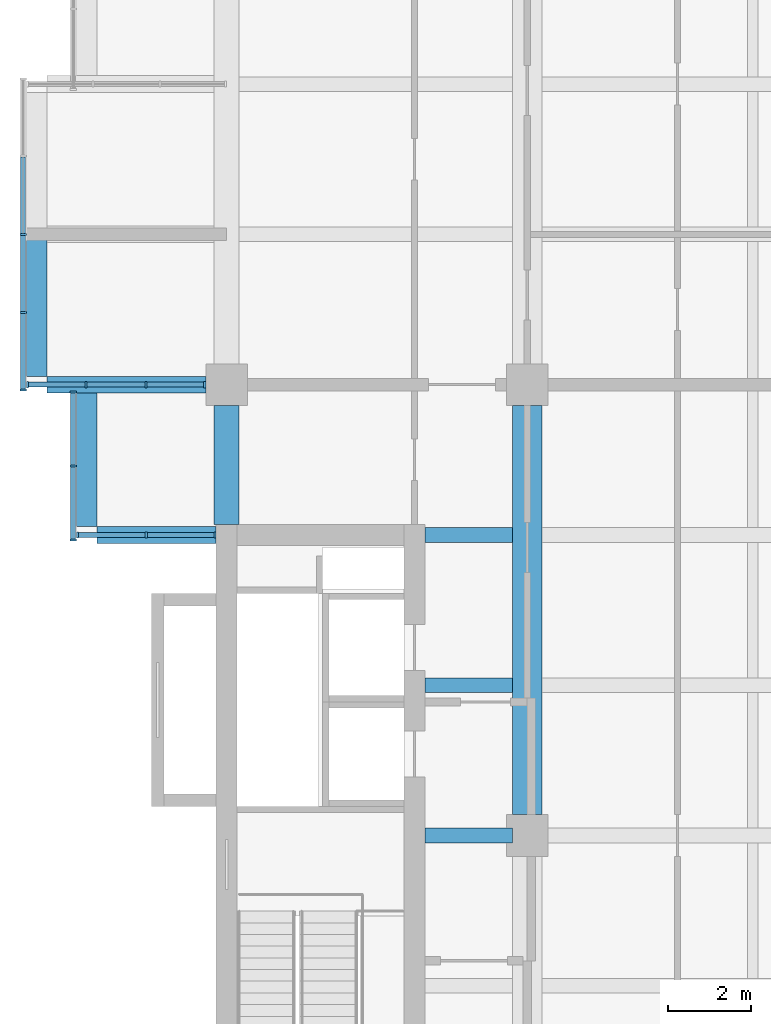
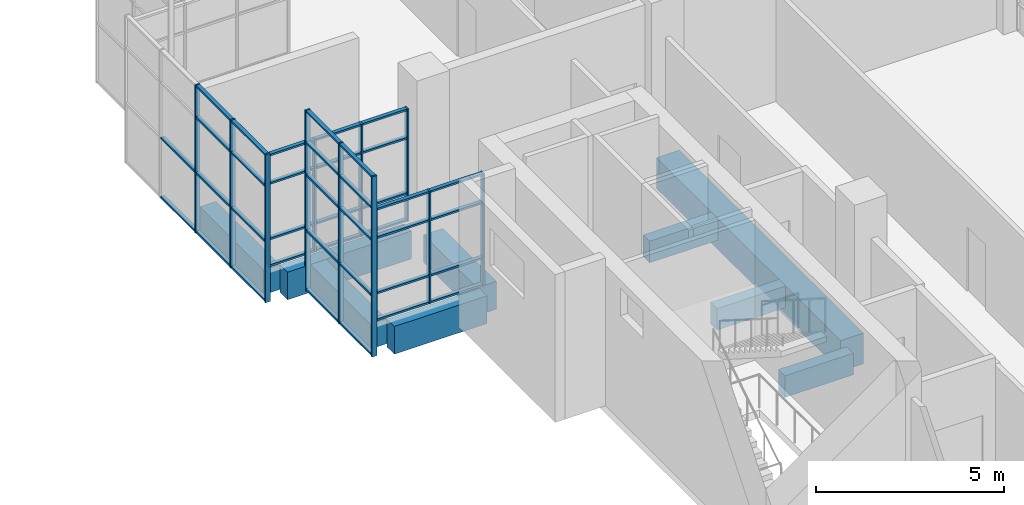
# One storey, part 7 of 30: 53 members, 9 beams, 4 elements without a shape of their own.
"""IFC4 building model written with IfcOpenShell, lengths in metres."""

from ifc_helpers import new_model, si_unit, direction, frame, origin, origin_2d, place, context, subcontext, project, spatial, rectangle, extrude, material, layer, layer_set, material_profile, profile_set, type_object, element, aggregate, save


model = new_model("IFC4")

# Units and contexts
model_context = context("Model", 3, precision=1e-05, world=origin(), true_north=direction((0.0, 1.0)))
body_context = subcontext(model_context, "Body", "Model", "MODEL_VIEW")
ifc_project = project(units=[si_unit("LENGTHUNIT", "METRE"), si_unit("AREAUNIT", "SQUARE_METRE"), si_unit("VOLUMEUNIT", "CUBIC_METRE"), si_unit("PLANEANGLEUNIT", "RADIAN"), si_unit("MASSUNIT", "GRAM", prefix="KILO")], contexts=[model_context])

# Site, building, storey
site_placement = place(None, origin())
site = spatial("IfcSite", under=ifc_project, at=site_placement, CompositionType="ELEMENT")
building_placement = place(site_placement, origin())
building = spatial("IfcBuilding", under=site, at=building_placement, Name="Basin Gate Institute", CompositionType="ELEMENT")
storey_placement = place(building_placement, frame((0.0, 0.0, 36.60009765625)))
storey = spatial("IfcBuildingStorey", under=building, at=storey_placement, Name="L07", CompositionType="ELEMENT", Elevation=36.60009765625)

# Beams
ifc_material_1 = material(Name="Concrete 40 MPa", Category="concrete")
ifc_material_profile_1 = material_profile(ifc_material_1, rectangle(XDim=0.35009765625, YDim=0.699951171875, at=origin_2d()), Name="Beam B1 350 x 700")
ifc_profile_set_1 = profile_set([ifc_material_profile_1], Name="Concrete 40 MPa")
beam_type_1 = type_object("IfcBeamType", Name="Beam B1 R120", PredefinedType="BEAM", material=ifc_profile_set_1)
for number, where, z_axis, x_axis, name in (
    (1, (65.949951171875, 67.5, -0.60009765625), (1.0, 0.0, 0.0), (0.0, 1.0, 0.0), "BEAM/L07/W/CORR/10"),
    (2, (65.949951171875, 71.10009765625, -0.60009765625), (1.0, 0.0, 0.0), (0.0, 1.0, 0.0), "BEAM/L07/W/CORR/11"),
    (3, (65.949951171875, 74.699951171875, -0.60009765625), (1.0, 0.0, 0.0), (0.0, 1.0, 0.0), "BEAM/L07/W/CORR/12"),
):
    element("IfcBeam", number, at=place(storey_placement, frame(where, z_axis=z_axis, x_axis=x_axis)), inside=storey, type_object=beam_type_1, material=ifc_profile_set_1, Name=name, PredefinedType="BEAM", context=body_context, shape_type="SweptSolid", body=[
        extrude(rectangle(XDim=0.35009765625, YDim=0.699951171875, at=origin_2d()), origin(), (0.0, 0.0, 1.0), 2.10009765625),
    ])
ifc_material_2 = material(Name="Concrete 50 MPa", Category="concrete")
ifc_material_profile_2 = material_profile(ifc_material_2, rectangle(XDim=0.39990234375, YDim=0.89990234375, at=origin_2d()), Name="Cantilever beam B3 400 x 900")
ifc_profile_set_2 = profile_set([ifc_material_profile_2], Name="Concrete 50 MPa")
beam_type_2 = type_object("IfcBeamType", Name="Cantilever beam B3 R120", PredefinedType="BEAM", material=ifc_profile_set_2)
beam_1_placement = place(storey_placement, frame((58.10009765625, 74.699951171875, -0.7001953125), z_axis=(1.0, 0.0, 0.0), x_axis=(0.0, 1.0, 0.0)))
element("IfcBeam", 4, at=beam_1_placement, inside=storey, type_object=beam_type_2, material=ifc_profile_set_2, Name="BEAM/L07/W/CANT/12", PredefinedType="BEAM", context=body_context, shape_type="SweptSolid", body=[
    extrude(rectangle(XDim=0.39990234375, YDim=0.89990234375, at=origin_2d()), origin(), (0.0, 0.0, 1.0), 2.849853515625),
])
beam_2_placement = place(storey_placement, frame((56.89990234375, 78.300048828125, -0.7001953125), z_axis=(1.0, 0.0, 0.0), x_axis=(0.0, 1.0, 0.0)))
element("IfcBeam", 5, at=beam_2_placement, inside=storey, type_object=beam_type_2, material=ifc_profile_set_2, Name="BEAM/L07/W/CANT/13", PredefinedType="BEAM", context=body_context, shape_type="SweptSolid", body=[
    extrude(rectangle(XDim=0.39990234375, YDim=0.89990234375, at=origin_2d()), origin(), (0.0, 0.0, 1.0), 3.800048828125),
])
ifc_material_3 = material(Name="Concrete 50 MPa", Category="concrete")
ifc_material_profile_3 = material_profile(ifc_material_3, rectangle(XDim=0.60009765625, YDim=0.89990234375, at=origin_2d()), Name="Edge return beam EB3 600 x 900")
ifc_profile_set_3 = profile_set([ifc_material_profile_3], Name="Concrete 50 MPa")
beam_type_3 = type_object("IfcBeamType", Name="Edge return beam EB3 R120", PredefinedType="SPANDREL", material=ifc_profile_set_3)
beam_3_placement = place(storey_placement, frame((61.199951171875, 74.949951171875, -0.7001953125), z_axis=(0.0, 1.0, 0.0), x_axis=(-1.0, 0.0, 0.0)))
element("IfcBeam", 6, at=beam_3_placement, inside=storey, type_object=beam_type_3, material=ifc_profile_set_3, Name="BEAM/L07/W/EDGE/3", PredefinedType="SPANDREL", context=body_context, shape_type="SweptSolid", body=[
    extrude(rectangle(XDim=0.60009765625, YDim=0.89990234375, at=origin_2d()), origin(), (0.0, 0.0, 1.0), 2.85009765625),
])
ifc_material_4 = material(Name="Concrete 50 MPa", Category="concrete")
ifc_material_profile_4 = material_profile(ifc_material_4, rectangle(XDim=0.699951171875, YDim=1.0, at=origin_2d()), Name="Girder G1 700 x 1000")
ifc_profile_set_4 = profile_set([ifc_material_profile_4], Name="Concrete 50 MPa")
beam_type_4 = type_object("IfcBeamType", Name="Girder G1 R120", PredefinedType="BEAM", material=ifc_profile_set_4)
beam_4_placement = place(storey_placement, frame((68.39990234375, 68.0, -0.75), z_axis=(0.0, 1.0, 0.0), x_axis=(-1.0, 0.0, 0.0)))
element("IfcBeam", 7, at=beam_4_placement, inside=storey, type_object=beam_type_4, material=ifc_profile_set_4, Name="GIR/L07/W5/4", PredefinedType="BEAM", context=body_context, shape_type="SweptSolid", body=[
    extrude(rectangle(XDim=0.699951171875, YDim=1.0, at=origin_2d()), origin(), (0.0, 0.0, 1.0), 9.800048828125),
])

# Curtain wall, members
ifc_material_5 = material(Name="Aluminium-framed glazing", Category="aluminium")
ifc_layer = layer(ifc_material_5, 0.14990234375)
ifc_layer_set = layer_set([ifc_layer], Name="Capsule front curtain wall CW1")
curtain_wall_type = type_object("IfcCurtainWallType", Name="Capsule front curtain wall CW1", PredefinedType="NOTDEFINED", material=ifc_layer_set)
curtain_wall_1_placement = place(storey_placement, origin())
curtain_wall_1 = element("IfcCurtainWall", 8, at=curtain_wall_1_placement, inside=storey, type_object=curtain_wall_type, material=ifc_layer_set, Name="Capsule front curtain wall W wing capsule end L07 line 12", PredefinedType="NOTDEFINED")
ifc_material_6 = material(Name="Aluminium", Category="aluminium")
ifc_material_profile_5 = material_profile(ifc_material_6, rectangle(XDim=0.14990234375, YDim=0.050048828125, at=origin_2d()), Name="Mullion MU1 150 x 50")
ifc_profile_set_5 = profile_set([ifc_material_profile_5], Name="Aluminium")
member_type_1 = type_object("IfcMemberType", Name="Mullion MU1", PredefinedType="MULLION", material=ifc_profile_set_5)
member_1_placement = place(storey_placement, frame((57.625, 74.699951171875, 0.0), z_axis=(0.0, 0.0, 1.0), x_axis=(0.0, 1.0, 0.0)))
member_1 = element("IfcMember", 9, at=member_1_placement, type_object=member_type_1, material=ifc_profile_set_5, Name="CW1 mullion 1", PredefinedType="MULLION", context=body_context, shape_type="SweptSolid", body=[
    extrude(rectangle(XDim=0.14990234375, YDim=0.050048828125, at=origin_2d()), origin(), (0.0, 0.0, 1.0), 3.64990234375),
])
member_2_placement = place(storey_placement, frame((59.27490234375, 74.699951171875, 0.0), z_axis=(0.0, 0.0, 1.0), x_axis=(0.0, 1.0, 0.0)))
member_2 = element("IfcMember", 10, at=member_2_placement, type_object=member_type_1, material=ifc_profile_set_5, Name="CW1 mullion 2", PredefinedType="MULLION", context=body_context, shape_type="SweptSolid", body=[
    extrude(rectangle(XDim=0.14990234375, YDim=0.050048828125, at=origin_2d()), origin(), (0.0, 0.0, 1.0), 3.64990234375),
])
member_3_placement = place(storey_placement, frame((60.925048828125, 74.699951171875, 0.0), z_axis=(0.0, 0.0, 1.0), x_axis=(0.0, 1.0, 0.0)))
member_3 = element("IfcMember", 11, at=member_3_placement, type_object=member_type_1, material=ifc_profile_set_5, Name="CW1 mullion 3", PredefinedType="MULLION", context=body_context, shape_type="SweptSolid", body=[
    extrude(rectangle(XDim=0.14990234375, YDim=0.050048828125, at=origin_2d()), origin(), (0.0, 0.0, 1.0), 3.64990234375),
])

curtain_wall_2_placement = place(storey_placement, origin())
curtain_wall_2 = element("IfcCurtainWall", 12, at=curtain_wall_2_placement, inside=storey, type_object=curtain_wall_type, material=ifc_layer_set, Name="Capsule front curtain wall W wing capsule end L07 line 13", PredefinedType="NOTDEFINED")
member_4_placement = place(storey_placement, frame((56.425048828125, 78.300048828125, 0.0), z_axis=(0.0, 0.0, 1.0), x_axis=(0.0, 1.0, 0.0)))
member_4 = element("IfcMember", 13, at=member_4_placement, type_object=member_type_1, material=ifc_profile_set_5, Name="CW1 mullion 1", PredefinedType="MULLION", context=body_context, shape_type="SweptSolid", body=[
    extrude(rectangle(XDim=0.14990234375, YDim=0.050048828125, at=origin_2d()), origin(), (0.0, 0.0, 1.0), 3.64990234375),
])
member_5_placement = place(storey_placement, frame((57.833251953125, 78.300048828125, 0.0), z_axis=(0.0, 0.0, 1.0), x_axis=(0.0, 1.0, 0.0)))
member_5 = element("IfcMember", 14, at=member_5_placement, type_object=member_type_1, material=ifc_profile_set_5, Name="CW1 mullion 2", PredefinedType="MULLION", context=body_context, shape_type="SweptSolid", body=[
    extrude(rectangle(XDim=0.14990234375, YDim=0.050048828125, at=origin_2d()), origin(), (0.0, 0.0, 1.0), 3.64990234375),
])
member_6_placement = place(storey_placement, frame((59.2666015625, 78.300048828125, 0.0), z_axis=(0.0, 0.0, 1.0), x_axis=(0.0, 1.0, 0.0)))
member_6 = element("IfcMember", 15, at=member_6_placement, type_object=member_type_1, material=ifc_profile_set_5, Name="CW1 mullion 3", PredefinedType="MULLION", context=body_context, shape_type="SweptSolid", body=[
    extrude(rectangle(XDim=0.14990234375, YDim=0.050048828125, at=origin_2d()), origin(), (0.0, 0.0, 1.0), 3.64990234375),
])
member_7_placement = place(storey_placement, frame((60.675048828125, 78.300048828125, 0.0), z_axis=(0.0, 0.0, 1.0), x_axis=(0.0, 1.0, 0.0)))
member_7 = element("IfcMember", 16, at=member_7_placement, type_object=member_type_1, material=ifc_profile_set_5, Name="CW1 mullion 4", PredefinedType="MULLION", context=body_context, shape_type="SweptSolid", body=[
    extrude(rectangle(XDim=0.14990234375, YDim=0.050048828125, at=origin_2d()), origin(), (0.0, 0.0, 1.0), 3.64990234375),
])

curtain_wall_3_placement = place(storey_placement, origin())
curtain_wall_3 = element("IfcCurtainWall", 17, at=curtain_wall_3_placement, inside=storey, type_object=curtain_wall_type, material=ifc_layer_set, Name="Capsule front curtain wall W wing capsule 2 L07 front 1", PredefinedType="NOTDEFINED")
member_8_placement = place(storey_placement, frame((57.52490234375, 74.574951171875, -1.050048828125), z_axis=(0.0, 0.0, 1.0), x_axis=(-1.0, 0.0, 0.0)))
member_8 = element("IfcMember", 18, at=member_8_placement, type_object=member_type_1, material=ifc_profile_set_5, Name="CW1 mullion 1", PredefinedType="MULLION", context=body_context, shape_type="SweptSolid", body=[
    extrude(rectangle(XDim=0.14990234375, YDim=0.050048828125, at=origin_2d()), origin(), (0.0, 0.0, 1.0), 5.849853515625),
])
member_9_placement = place(storey_placement, frame((57.52490234375, 76.35009765625, -1.050048828125), z_axis=(0.0, 0.0, 1.0), x_axis=(-1.0, 0.0, 0.0)))
member_9 = element("IfcMember", 19, at=member_9_placement, type_object=member_type_1, material=ifc_profile_set_5, Name="CW1 mullion 2", PredefinedType="MULLION", context=body_context, shape_type="SweptSolid", body=[
    extrude(rectangle(XDim=0.14990234375, YDim=0.050048828125, at=origin_2d()), origin(), (0.0, 0.0, 1.0), 5.849853515625),
])
member_10_placement = place(storey_placement, frame((57.52490234375, 78.125, -1.050048828125), z_axis=(0.0, 0.0, 1.0), x_axis=(-1.0, 0.0, 0.0)))
member_10 = element("IfcMember", 20, at=member_10_placement, type_object=member_type_1, material=ifc_profile_set_5, Name="CW1 mullion 3", PredefinedType="MULLION", context=body_context, shape_type="SweptSolid", body=[
    extrude(rectangle(XDim=0.14990234375, YDim=0.050048828125, at=origin_2d()), origin(), (0.0, 0.0, 1.0), 5.849853515625),
])

curtain_wall_4_placement = place(storey_placement, origin())
curtain_wall_4 = element("IfcCurtainWall", 21, at=curtain_wall_4_placement, inside=storey, type_object=curtain_wall_type, material=ifc_layer_set, Name="Capsule front curtain wall W wing capsule 2 L07 front 2", PredefinedType="NOTDEFINED")
member_11_placement = place(storey_placement, frame((56.324951171875, 78.175048828125, -1.050048828125), z_axis=(0.0, 0.0, 1.0), x_axis=(-1.0, 0.0, 0.0)))
member_11 = element("IfcMember", 22, at=member_11_placement, type_object=member_type_1, material=ifc_profile_set_5, Name="CW1 mullion 1", PredefinedType="MULLION", context=body_context, shape_type="SweptSolid", body=[
    extrude(rectangle(XDim=0.14990234375, YDim=0.050048828125, at=origin_2d()), origin(), (0.0, 0.0, 1.0), 4.800048828125),
])
member_12_placement = place(storey_placement, frame((56.324951171875, 80.02490234375, -1.050048828125), z_axis=(0.0, 0.0, 1.0), x_axis=(-1.0, 0.0, 0.0)))
member_12 = element("IfcMember", 23, at=member_12_placement, type_object=member_type_1, material=ifc_profile_set_5, Name="CW1 mullion 2", PredefinedType="MULLION", context=body_context, shape_type="SweptSolid", body=[
    extrude(rectangle(XDim=0.14990234375, YDim=0.050048828125, at=origin_2d()), origin(), (0.0, 0.0, 1.0), 4.800048828125),
])
member_13_placement = place(storey_placement, frame((56.324951171875, 81.89990234375, -1.050048828125), z_axis=(0.0, 0.0, 1.0), x_axis=(-1.0, 0.0, 0.0)))
member_13 = element("IfcMember", 24, at=member_13_placement, type_object=member_type_1, material=ifc_profile_set_5, Name="CW1 mullion 3", PredefinedType="MULLION", context=body_context, shape_type="SweptSolid", body=[
    extrude(rectangle(XDim=0.14990234375, YDim=0.050048828125, at=origin_2d()), origin(), (0.0, 0.0, 1.0), 4.800048828125),
])

# Beams
ifc_material_7 = material(Name="Concrete 50 MPa", Category="concrete")
ifc_material_profile_6 = material_profile(ifc_material_7, rectangle(XDim=0.5, YDim=0.800048828125, at=origin_2d()), Name="Tip beam TB1 500 x 800")
ifc_profile_set_6 = profile_set([ifc_material_profile_6], Name="Concrete 50 MPa")
beam_type_5 = type_object("IfcBeamType", Name="Tip beam TB1 R120", PredefinedType="SPANDREL", material=ifc_profile_set_6)
beam_5_placement = place(storey_placement, frame((57.85009765625, 74.89990234375, -0.650146484375), z_axis=(0.0, 1.0, 0.0), x_axis=(-1.0, 0.0, 0.0)))
element("IfcBeam", 25, at=beam_5_placement, inside=storey, type_object=beam_type_5, material=ifc_profile_set_6, Name="BEAM/L07/W/TIP/5", PredefinedType="SPANDREL", context=body_context, shape_type="SweptSolid", body=[
    extrude(rectangle(XDim=0.5, YDim=0.800048828125, at=origin_2d()), origin(), (0.0, 0.0, 1.0), 3.2001953125),
])
beam_6_placement = place(storey_placement, frame((56.64990234375, 78.5, -0.650146484375), z_axis=(0.0, 1.0, 0.0), x_axis=(-1.0, 0.0, 0.0)))
element("IfcBeam", 26, at=beam_6_placement, inside=storey, type_object=beam_type_5, material=ifc_profile_set_6, Name="BEAM/L07/W/TIP/6", PredefinedType="SPANDREL", context=body_context, shape_type="SweptSolid", body=[
    extrude(rectangle(XDim=0.5, YDim=0.800048828125, at=origin_2d()), origin(), (0.0, 0.0, 1.0), 3.39990234375),
])

# Member
ifc_material_8 = material(Name="Aluminium", Category="aluminium")
ifc_material_profile_7 = material_profile(ifc_material_8, rectangle(XDim=0.1201171875, YDim=0.06005859375, at=origin_2d()), Name="Transom TR1 120 x 60")
ifc_profile_set_7 = profile_set([ifc_material_profile_7], Name="Aluminium")
member_type_2 = type_object("IfcMemberType", Name="Transom TR1", PredefinedType="USERDEFINED", material=ifc_profile_set_7)
member_14_placement = place(storey_placement, frame((57.64990234375, 74.699951171875, 0.02978515625), z_axis=(1.0, 0.0, 0.0), x_axis=(0.0, 1.0, 0.0)))
member_14 = element("IfcMember", 27, at=member_14_placement, type_object=member_type_2, material=ifc_profile_set_7, Name="CW1 transom 1.1", ObjectType="TRANSOM", PredefinedType="USERDEFINED", context=body_context, shape_type="SweptSolid", body=[
    extrude(rectangle(XDim=0.1201171875, YDim=0.06005859375, at=origin_2d()), origin(), (0.0, 0.0, 1.0), 1.60009765625),
])

member_15_placement = place(storey_placement, frame((57.64990234375, 74.699951171875, 0.89990234375), z_axis=(1.0, 0.0, 0.0), x_axis=(0.0, 1.0, 0.0)))
member_15 = element("IfcMember", 28, at=member_15_placement, type_object=member_type_2, material=ifc_profile_set_7, Name="CW1 transom 1.2", ObjectType="TRANSOM", PredefinedType="USERDEFINED", context=body_context, shape_type="SweptSolid", body=[
    extrude(rectangle(XDim=0.1201171875, YDim=0.06005859375, at=origin_2d()), origin(), (0.0, 0.0, 1.0), 1.60009765625),
])

member_16_placement = place(storey_placement, frame((57.64990234375, 74.699951171875, 2.699951171875), z_axis=(1.0, 0.0, 0.0), x_axis=(0.0, 1.0, 0.0)))
member_16 = element("IfcMember", 29, at=member_16_placement, type_object=member_type_2, material=ifc_profile_set_7, Name="CW1 transom 1.3", ObjectType="TRANSOM", PredefinedType="USERDEFINED", context=body_context, shape_type="SweptSolid", body=[
    extrude(rectangle(XDim=0.1201171875, YDim=0.06005859375, at=origin_2d()), origin(), (0.0, 0.0, 1.0), 1.60009765625),
])

member_17_placement = place(storey_placement, frame((57.64990234375, 74.699951171875, 3.619873046875), z_axis=(1.0, 0.0, 0.0), x_axis=(0.0, 1.0, 0.0)))
member_17 = element("IfcMember", 30, at=member_17_placement, type_object=member_type_2, material=ifc_profile_set_7, Name="CW1 transom 1.4", ObjectType="TRANSOM", PredefinedType="USERDEFINED", context=body_context, shape_type="SweptSolid", body=[
    extrude(rectangle(XDim=0.1201171875, YDim=0.06005859375, at=origin_2d()), origin(), (0.0, 0.0, 1.0), 1.60009765625),
])

member_18_placement = place(storey_placement, frame((59.300048828125, 74.699951171875, 0.02978515625), z_axis=(1.0, 0.0, 0.0), x_axis=(0.0, 1.0, 0.0)))
member_18 = element("IfcMember", 31, at=member_18_placement, type_object=member_type_2, material=ifc_profile_set_7, Name="CW1 transom 2.1", ObjectType="TRANSOM", PredefinedType="USERDEFINED", context=body_context, shape_type="SweptSolid", body=[
    extrude(rectangle(XDim=0.1201171875, YDim=0.06005859375, at=origin_2d()), origin(), (0.0, 0.0, 1.0), 1.599853515625),
])

member_19_placement = place(storey_placement, frame((59.300048828125, 74.699951171875, 0.89990234375), z_axis=(1.0, 0.0, 0.0), x_axis=(0.0, 1.0, 0.0)))
member_19 = element("IfcMember", 32, at=member_19_placement, type_object=member_type_2, material=ifc_profile_set_7, Name="CW1 transom 2.2", ObjectType="TRANSOM", PredefinedType="USERDEFINED", context=body_context, shape_type="SweptSolid", body=[
    extrude(rectangle(XDim=0.1201171875, YDim=0.06005859375, at=origin_2d()), origin(), (0.0, 0.0, 1.0), 1.599853515625),
])

member_20_placement = place(storey_placement, frame((59.300048828125, 74.699951171875, 2.699951171875), z_axis=(1.0, 0.0, 0.0), x_axis=(0.0, 1.0, 0.0)))
member_20 = element("IfcMember", 33, at=member_20_placement, type_object=member_type_2, material=ifc_profile_set_7, Name="CW1 transom 2.3", ObjectType="TRANSOM", PredefinedType="USERDEFINED", context=body_context, shape_type="SweptSolid", body=[
    extrude(rectangle(XDim=0.1201171875, YDim=0.06005859375, at=origin_2d()), origin(), (0.0, 0.0, 1.0), 1.599853515625),
])

member_21_placement = place(storey_placement, frame((59.300048828125, 74.699951171875, 3.619873046875), z_axis=(1.0, 0.0, 0.0), x_axis=(0.0, 1.0, 0.0)))
member_21 = element("IfcMember", 34, at=member_21_placement, type_object=member_type_2, material=ifc_profile_set_7, Name="CW1 transom 2.4", ObjectType="TRANSOM", PredefinedType="USERDEFINED", context=body_context, shape_type="SweptSolid", body=[
    extrude(rectangle(XDim=0.1201171875, YDim=0.06005859375, at=origin_2d()), origin(), (0.0, 0.0, 1.0), 1.599853515625),
])

aggregate(curtain_wall_1, [member_1, member_2, member_3, member_14, member_15, member_16, member_17, member_18, member_19, member_20, member_21])

member_22_placement = place(storey_placement, frame((56.449951171875, 78.300048828125, 0.02978515625), z_axis=(1.0, 0.0, 0.0), x_axis=(0.0, 1.0, 0.0)))
member_22 = element("IfcMember", 35, at=member_22_placement, type_object=member_type_2, material=ifc_profile_set_7, Name="CW1 transom 1.1", ObjectType="TRANSOM", PredefinedType="USERDEFINED", context=body_context, shape_type="SweptSolid", body=[
    extrude(rectangle(XDim=0.1201171875, YDim=0.06005859375, at=origin_2d()), origin(), (0.0, 0.0, 1.0), 1.3583984375),
])

member_23_placement = place(storey_placement, frame((56.449951171875, 78.300048828125, 0.89990234375), z_axis=(1.0, 0.0, 0.0), x_axis=(0.0, 1.0, 0.0)))
member_23 = element("IfcMember", 36, at=member_23_placement, type_object=member_type_2, material=ifc_profile_set_7, Name="CW1 transom 1.2", ObjectType="TRANSOM", PredefinedType="USERDEFINED", context=body_context, shape_type="SweptSolid", body=[
    extrude(rectangle(XDim=0.1201171875, YDim=0.06005859375, at=origin_2d()), origin(), (0.0, 0.0, 1.0), 1.3583984375),
])

member_24_placement = place(storey_placement, frame((56.449951171875, 78.300048828125, 2.699951171875), z_axis=(1.0, 0.0, 0.0), x_axis=(0.0, 1.0, 0.0)))
member_24 = element("IfcMember", 37, at=member_24_placement, type_object=member_type_2, material=ifc_profile_set_7, Name="CW1 transom 1.3", ObjectType="TRANSOM", PredefinedType="USERDEFINED", context=body_context, shape_type="SweptSolid", body=[
    extrude(rectangle(XDim=0.1201171875, YDim=0.06005859375, at=origin_2d()), origin(), (0.0, 0.0, 1.0), 1.3583984375),
])

member_25_placement = place(storey_placement, frame((56.449951171875, 78.300048828125, 3.619873046875), z_axis=(1.0, 0.0, 0.0), x_axis=(0.0, 1.0, 0.0)))
member_25 = element("IfcMember", 38, at=member_25_placement, type_object=member_type_2, material=ifc_profile_set_7, Name="CW1 transom 1.4", ObjectType="TRANSOM", PredefinedType="USERDEFINED", context=body_context, shape_type="SweptSolid", body=[
    extrude(rectangle(XDim=0.1201171875, YDim=0.06005859375, at=origin_2d()), origin(), (0.0, 0.0, 1.0), 1.3583984375),
])

member_26_placement = place(storey_placement, frame((57.8583984375, 78.300048828125, 0.02978515625), z_axis=(1.0, 0.0, 0.0), x_axis=(0.0, 1.0, 0.0)))
member_26 = element("IfcMember", 39, at=member_26_placement, type_object=member_type_2, material=ifc_profile_set_7, Name="CW1 transom 2.1", ObjectType="TRANSOM", PredefinedType="USERDEFINED", context=body_context, shape_type="SweptSolid", body=[
    extrude(rectangle(XDim=0.1201171875, YDim=0.06005859375, at=origin_2d()), origin(), (0.0, 0.0, 1.0), 1.38330078125),
])

member_27_placement = place(storey_placement, frame((57.8583984375, 78.300048828125, 0.89990234375), z_axis=(1.0, 0.0, 0.0), x_axis=(0.0, 1.0, 0.0)))
member_27 = element("IfcMember", 40, at=member_27_placement, type_object=member_type_2, material=ifc_profile_set_7, Name="CW1 transom 2.2", ObjectType="TRANSOM", PredefinedType="USERDEFINED", context=body_context, shape_type="SweptSolid", body=[
    extrude(rectangle(XDim=0.1201171875, YDim=0.06005859375, at=origin_2d()), origin(), (0.0, 0.0, 1.0), 1.38330078125),
])

member_28_placement = place(storey_placement, frame((57.8583984375, 78.300048828125, 2.699951171875), z_axis=(1.0, 0.0, 0.0), x_axis=(0.0, 1.0, 0.0)))
member_28 = element("IfcMember", 41, at=member_28_placement, type_object=member_type_2, material=ifc_profile_set_7, Name="CW1 transom 2.3", ObjectType="TRANSOM", PredefinedType="USERDEFINED", context=body_context, shape_type="SweptSolid", body=[
    extrude(rectangle(XDim=0.1201171875, YDim=0.06005859375, at=origin_2d()), origin(), (0.0, 0.0, 1.0), 1.38330078125),
])

member_29_placement = place(storey_placement, frame((57.8583984375, 78.300048828125, 3.619873046875), z_axis=(1.0, 0.0, 0.0), x_axis=(0.0, 1.0, 0.0)))
member_29 = element("IfcMember", 42, at=member_29_placement, type_object=member_type_2, material=ifc_profile_set_7, Name="CW1 transom 2.4", ObjectType="TRANSOM", PredefinedType="USERDEFINED", context=body_context, shape_type="SweptSolid", body=[
    extrude(rectangle(XDim=0.1201171875, YDim=0.06005859375, at=origin_2d()), origin(), (0.0, 0.0, 1.0), 1.38330078125),
])

member_30_placement = place(storey_placement, frame((59.291748046875, 78.300048828125, 0.02978515625), z_axis=(1.0, 0.0, 0.0), x_axis=(0.0, 1.0, 0.0)))
member_30 = element("IfcMember", 43, at=member_30_placement, type_object=member_type_2, material=ifc_profile_set_7, Name="CW1 transom 3.1", ObjectType="TRANSOM", PredefinedType="USERDEFINED", context=body_context, shape_type="SweptSolid", body=[
    extrude(rectangle(XDim=0.1201171875, YDim=0.06005859375, at=origin_2d()), origin(), (0.0, 0.0, 1.0), 1.358154296875),
])

member_31_placement = place(storey_placement, frame((59.291748046875, 78.300048828125, 0.89990234375), z_axis=(1.0, 0.0, 0.0), x_axis=(0.0, 1.0, 0.0)))
member_31 = element("IfcMember", 44, at=member_31_placement, type_object=member_type_2, material=ifc_profile_set_7, Name="CW1 transom 3.2", ObjectType="TRANSOM", PredefinedType="USERDEFINED", context=body_context, shape_type="SweptSolid", body=[
    extrude(rectangle(XDim=0.1201171875, YDim=0.06005859375, at=origin_2d()), origin(), (0.0, 0.0, 1.0), 1.358154296875),
])

member_32_placement = place(storey_placement, frame((59.291748046875, 78.300048828125, 2.699951171875), z_axis=(1.0, 0.0, 0.0), x_axis=(0.0, 1.0, 0.0)))
member_32 = element("IfcMember", 45, at=member_32_placement, type_object=member_type_2, material=ifc_profile_set_7, Name="CW1 transom 3.3", ObjectType="TRANSOM", PredefinedType="USERDEFINED", context=body_context, shape_type="SweptSolid", body=[
    extrude(rectangle(XDim=0.1201171875, YDim=0.06005859375, at=origin_2d()), origin(), (0.0, 0.0, 1.0), 1.358154296875),
])

member_33_placement = place(storey_placement, frame((59.291748046875, 78.300048828125, 3.619873046875), z_axis=(1.0, 0.0, 0.0), x_axis=(0.0, 1.0, 0.0)))
member_33 = element("IfcMember", 46, at=member_33_placement, type_object=member_type_2, material=ifc_profile_set_7, Name="CW1 transom 3.4", ObjectType="TRANSOM", PredefinedType="USERDEFINED", context=body_context, shape_type="SweptSolid", body=[
    extrude(rectangle(XDim=0.1201171875, YDim=0.06005859375, at=origin_2d()), origin(), (0.0, 0.0, 1.0), 1.358154296875),
])

aggregate(curtain_wall_2, [member_4, member_5, member_6, member_7, member_22, member_23, member_24, member_25, member_26, member_27, member_28, member_29, member_30, member_31, member_32, member_33])

member_34_placement = place(storey_placement, frame((57.52490234375, 74.60009765625, -1.02001953125), z_axis=(0.0, 1.0, 0.0), x_axis=(-1.0, 0.0, 0.0)))
member_34 = element("IfcMember", 47, at=member_34_placement, type_object=member_type_2, material=ifc_profile_set_7, Name="CW1 transom 1.1", ObjectType="TRANSOM", PredefinedType="USERDEFINED", context=body_context, shape_type="SweptSolid", body=[
    extrude(rectangle(XDim=0.1201171875, YDim=0.06005859375, at=origin_2d()), origin(), (0.0, 0.0, 1.0), 1.724853515625),
])

member_35_placement = place(storey_placement, frame((57.52490234375, 74.60009765625, 0.89990234375), z_axis=(0.0, 1.0, 0.0), x_axis=(-1.0, 0.0, 0.0)))
member_35 = element("IfcMember", 48, at=member_35_placement, type_object=member_type_2, material=ifc_profile_set_7, Name="CW1 transom 1.2", ObjectType="TRANSOM", PredefinedType="USERDEFINED", context=body_context, shape_type="SweptSolid", body=[
    extrude(rectangle(XDim=0.1201171875, YDim=0.06005859375, at=origin_2d()), origin(), (0.0, 0.0, 1.0), 1.724853515625),
])

member_36_placement = place(storey_placement, frame((57.52490234375, 74.60009765625, 2.699951171875), z_axis=(0.0, 1.0, 0.0), x_axis=(-1.0, 0.0, 0.0)))
member_36 = element("IfcMember", 49, at=member_36_placement, type_object=member_type_2, material=ifc_profile_set_7, Name="CW1 transom 1.3", ObjectType="TRANSOM", PredefinedType="USERDEFINED", context=body_context, shape_type="SweptSolid", body=[
    extrude(rectangle(XDim=0.1201171875, YDim=0.06005859375, at=origin_2d()), origin(), (0.0, 0.0, 1.0), 1.724853515625),
])

member_37_placement = place(storey_placement, frame((57.52490234375, 74.60009765625, 3.75), z_axis=(0.0, 1.0, 0.0), x_axis=(-1.0, 0.0, 0.0)))
member_37 = element("IfcMember", 50, at=member_37_placement, type_object=member_type_2, material=ifc_profile_set_7, Name="CW1 transom 1.4", ObjectType="TRANSOM", PredefinedType="USERDEFINED", context=body_context, shape_type="SweptSolid", body=[
    extrude(rectangle(XDim=0.1201171875, YDim=0.06005859375, at=origin_2d()), origin(), (0.0, 0.0, 1.0), 1.724853515625),
])

member_38_placement = place(storey_placement, frame((57.52490234375, 74.60009765625, 4.77001953125), z_axis=(0.0, 1.0, 0.0), x_axis=(-1.0, 0.0, 0.0)))
member_38 = element("IfcMember", 51, at=member_38_placement, type_object=member_type_2, material=ifc_profile_set_7, Name="CW1 transom 1.5", ObjectType="TRANSOM", PredefinedType="USERDEFINED", context=body_context, shape_type="SweptSolid", body=[
    extrude(rectangle(XDim=0.1201171875, YDim=0.06005859375, at=origin_2d()), origin(), (0.0, 0.0, 1.0), 1.724853515625),
])

member_39_placement = place(storey_placement, frame((57.52490234375, 76.375, -1.02001953125), z_axis=(0.0, 1.0, 0.0), x_axis=(-1.0, 0.0, 0.0)))
member_39 = element("IfcMember", 52, at=member_39_placement, type_object=member_type_2, material=ifc_profile_set_7, Name="CW1 transom 2.1", ObjectType="TRANSOM", PredefinedType="USERDEFINED", context=body_context, shape_type="SweptSolid", body=[
    extrude(rectangle(XDim=0.1201171875, YDim=0.06005859375, at=origin_2d()), origin(), (0.0, 0.0, 1.0), 1.72509765625),
])

member_40_placement = place(storey_placement, frame((57.52490234375, 76.375, 0.89990234375), z_axis=(0.0, 1.0, 0.0), x_axis=(-1.0, 0.0, 0.0)))
member_40 = element("IfcMember", 53, at=member_40_placement, type_object=member_type_2, material=ifc_profile_set_7, Name="CW1 transom 2.2", ObjectType="TRANSOM", PredefinedType="USERDEFINED", context=body_context, shape_type="SweptSolid", body=[
    extrude(rectangle(XDim=0.1201171875, YDim=0.06005859375, at=origin_2d()), origin(), (0.0, 0.0, 1.0), 1.72509765625),
])

member_41_placement = place(storey_placement, frame((57.52490234375, 76.375, 2.699951171875), z_axis=(0.0, 1.0, 0.0), x_axis=(-1.0, 0.0, 0.0)))
member_41 = element("IfcMember", 54, at=member_41_placement, type_object=member_type_2, material=ifc_profile_set_7, Name="CW1 transom 2.3", ObjectType="TRANSOM", PredefinedType="USERDEFINED", context=body_context, shape_type="SweptSolid", body=[
    extrude(rectangle(XDim=0.1201171875, YDim=0.06005859375, at=origin_2d()), origin(), (0.0, 0.0, 1.0), 1.72509765625),
])

member_42_placement = place(storey_placement, frame((57.52490234375, 76.375, 3.75), z_axis=(0.0, 1.0, 0.0), x_axis=(-1.0, 0.0, 0.0)))
member_42 = element("IfcMember", 55, at=member_42_placement, type_object=member_type_2, material=ifc_profile_set_7, Name="CW1 transom 2.4", ObjectType="TRANSOM", PredefinedType="USERDEFINED", context=body_context, shape_type="SweptSolid", body=[
    extrude(rectangle(XDim=0.1201171875, YDim=0.06005859375, at=origin_2d()), origin(), (0.0, 0.0, 1.0), 1.72509765625),
])

member_43_placement = place(storey_placement, frame((57.52490234375, 76.375, 4.77001953125), z_axis=(0.0, 1.0, 0.0), x_axis=(-1.0, 0.0, 0.0)))
member_43 = element("IfcMember", 56, at=member_43_placement, type_object=member_type_2, material=ifc_profile_set_7, Name="CW1 transom 2.5", ObjectType="TRANSOM", PredefinedType="USERDEFINED", context=body_context, shape_type="SweptSolid", body=[
    extrude(rectangle(XDim=0.1201171875, YDim=0.06005859375, at=origin_2d()), origin(), (0.0, 0.0, 1.0), 1.72509765625),
])

aggregate(curtain_wall_3, [member_8, member_9, member_10, member_34, member_35, member_36, member_37, member_38, member_39, member_40, member_41, member_42, member_43])

member_44_placement = place(storey_placement, frame((56.324951171875, 78.199951171875, -1.02001953125), z_axis=(0.0, 1.0, 0.0), x_axis=(-1.0, 0.0, 0.0)))
member_44 = element("IfcMember", 57, at=member_44_placement, type_object=member_type_2, material=ifc_profile_set_7, Name="CW1 transom 1.1", ObjectType="TRANSOM", PredefinedType="USERDEFINED", context=body_context, shape_type="SweptSolid", body=[
    extrude(rectangle(XDim=0.1201171875, YDim=0.06005859375, at=origin_2d()), origin(), (0.0, 0.0, 1.0), 1.800048828125),
])

member_45_placement = place(storey_placement, frame((56.324951171875, 78.199951171875, 0.89990234375), z_axis=(0.0, 1.0, 0.0), x_axis=(-1.0, 0.0, 0.0)))
member_45 = element("IfcMember", 58, at=member_45_placement, type_object=member_type_2, material=ifc_profile_set_7, Name="CW1 transom 1.2", ObjectType="TRANSOM", PredefinedType="USERDEFINED", context=body_context, shape_type="SweptSolid", body=[
    extrude(rectangle(XDim=0.1201171875, YDim=0.06005859375, at=origin_2d()), origin(), (0.0, 0.0, 1.0), 1.800048828125),
])

member_46_placement = place(storey_placement, frame((56.324951171875, 78.199951171875, 2.699951171875), z_axis=(0.0, 1.0, 0.0), x_axis=(-1.0, 0.0, 0.0)))
member_46 = element("IfcMember", 59, at=member_46_placement, type_object=member_type_2, material=ifc_profile_set_7, Name="CW1 transom 1.3", ObjectType="TRANSOM", PredefinedType="USERDEFINED", context=body_context, shape_type="SweptSolid", body=[
    extrude(rectangle(XDim=0.1201171875, YDim=0.06005859375, at=origin_2d()), origin(), (0.0, 0.0, 1.0), 1.800048828125),
])

member_47_placement = place(storey_placement, frame((56.324951171875, 78.199951171875, 3.719970703125), z_axis=(0.0, 1.0, 0.0), x_axis=(-1.0, 0.0, 0.0)))
member_47 = element("IfcMember", 60, at=member_47_placement, type_object=member_type_2, material=ifc_profile_set_7, Name="CW1 transom 1.4", ObjectType="TRANSOM", PredefinedType="USERDEFINED", context=body_context, shape_type="SweptSolid", body=[
    extrude(rectangle(XDim=0.1201171875, YDim=0.06005859375, at=origin_2d()), origin(), (0.0, 0.0, 1.0), 1.800048828125),
])

member_48_placement = place(storey_placement, frame((56.324951171875, 80.050048828125, -1.02001953125), z_axis=(0.0, 1.0, 0.0), x_axis=(-1.0, 0.0, 0.0)))
member_48 = element("IfcMember", 61, at=member_48_placement, type_object=member_type_2, material=ifc_profile_set_7, Name="CW1 transom 2.1", ObjectType="TRANSOM", PredefinedType="USERDEFINED", context=body_context, shape_type="SweptSolid", body=[
    extrude(rectangle(XDim=0.1201171875, YDim=0.06005859375, at=origin_2d()), origin(), (0.0, 0.0, 1.0), 1.824951171875),
])

member_49_placement = place(storey_placement, frame((56.324951171875, 80.050048828125, 0.89990234375), z_axis=(0.0, 1.0, 0.0), x_axis=(-1.0, 0.0, 0.0)))
member_49 = element("IfcMember", 62, at=member_49_placement, type_object=member_type_2, material=ifc_profile_set_7, Name="CW1 transom 2.2", ObjectType="TRANSOM", PredefinedType="USERDEFINED", context=body_context, shape_type="SweptSolid", body=[
    extrude(rectangle(XDim=0.1201171875, YDim=0.06005859375, at=origin_2d()), origin(), (0.0, 0.0, 1.0), 1.824951171875),
])

member_50_placement = place(storey_placement, frame((56.324951171875, 80.050048828125, 2.699951171875), z_axis=(0.0, 1.0, 0.0), x_axis=(-1.0, 0.0, 0.0)))
member_50 = element("IfcMember", 63, at=member_50_placement, type_object=member_type_2, material=ifc_profile_set_7, Name="CW1 transom 2.3", ObjectType="TRANSOM", PredefinedType="USERDEFINED", context=body_context, shape_type="SweptSolid", body=[
    extrude(rectangle(XDim=0.1201171875, YDim=0.06005859375, at=origin_2d()), origin(), (0.0, 0.0, 1.0), 1.824951171875),
])

member_51_placement = place(storey_placement, frame((56.324951171875, 80.050048828125, 3.719970703125), z_axis=(0.0, 1.0, 0.0), x_axis=(-1.0, 0.0, 0.0)))
member_51 = element("IfcMember", 64, at=member_51_placement, type_object=member_type_2, material=ifc_profile_set_7, Name="CW1 transom 2.4", ObjectType="TRANSOM", PredefinedType="USERDEFINED", context=body_context, shape_type="SweptSolid", body=[
    extrude(rectangle(XDim=0.1201171875, YDim=0.06005859375, at=origin_2d()), origin(), (0.0, 0.0, 1.0), 1.824951171875),
])

member_52_placement = place(storey_placement, frame((56.324951171875, 81.925048828125, -1.02001953125), z_axis=(0.0, 1.0, 0.0), x_axis=(-1.0, 0.0, 0.0)))
member_52 = element("IfcMember", 65, at=member_52_placement, type_object=member_type_2, material=ifc_profile_set_7, Name="CW1 transom 3.1", ObjectType="TRANSOM", PredefinedType="USERDEFINED", context=body_context, shape_type="SweptSolid", body=[
    extrude(rectangle(XDim=0.1201171875, YDim=0.06005859375, at=origin_2d()), origin(), (0.0, 0.0, 1.0), 1.824951171875),
])

member_53_placement = place(storey_placement, frame((56.324951171875, 81.925048828125, 0.89990234375), z_axis=(0.0, 1.0, 0.0), x_axis=(-1.0, 0.0, 0.0)))
member_53 = element("IfcMember", 66, at=member_53_placement, type_object=member_type_2, material=ifc_profile_set_7, Name="CW1 transom 3.2", ObjectType="TRANSOM", PredefinedType="USERDEFINED", context=body_context, shape_type="SweptSolid", body=[
    extrude(rectangle(XDim=0.1201171875, YDim=0.06005859375, at=origin_2d()), origin(), (0.0, 0.0, 1.0), 1.824951171875),
])

aggregate(curtain_wall_4, [member_11, member_12, member_13, member_44, member_45, member_46, member_47, member_48, member_49, member_50, member_51, member_52, member_53])

save(model, "model.ifc")
